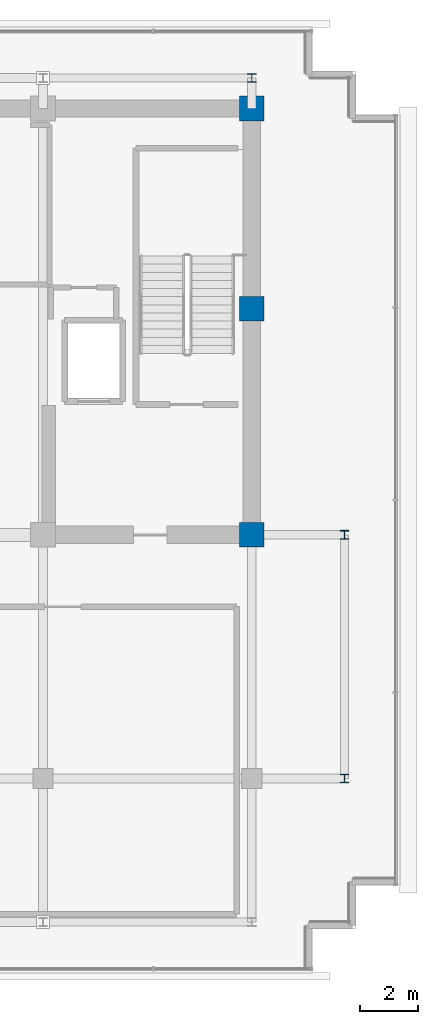
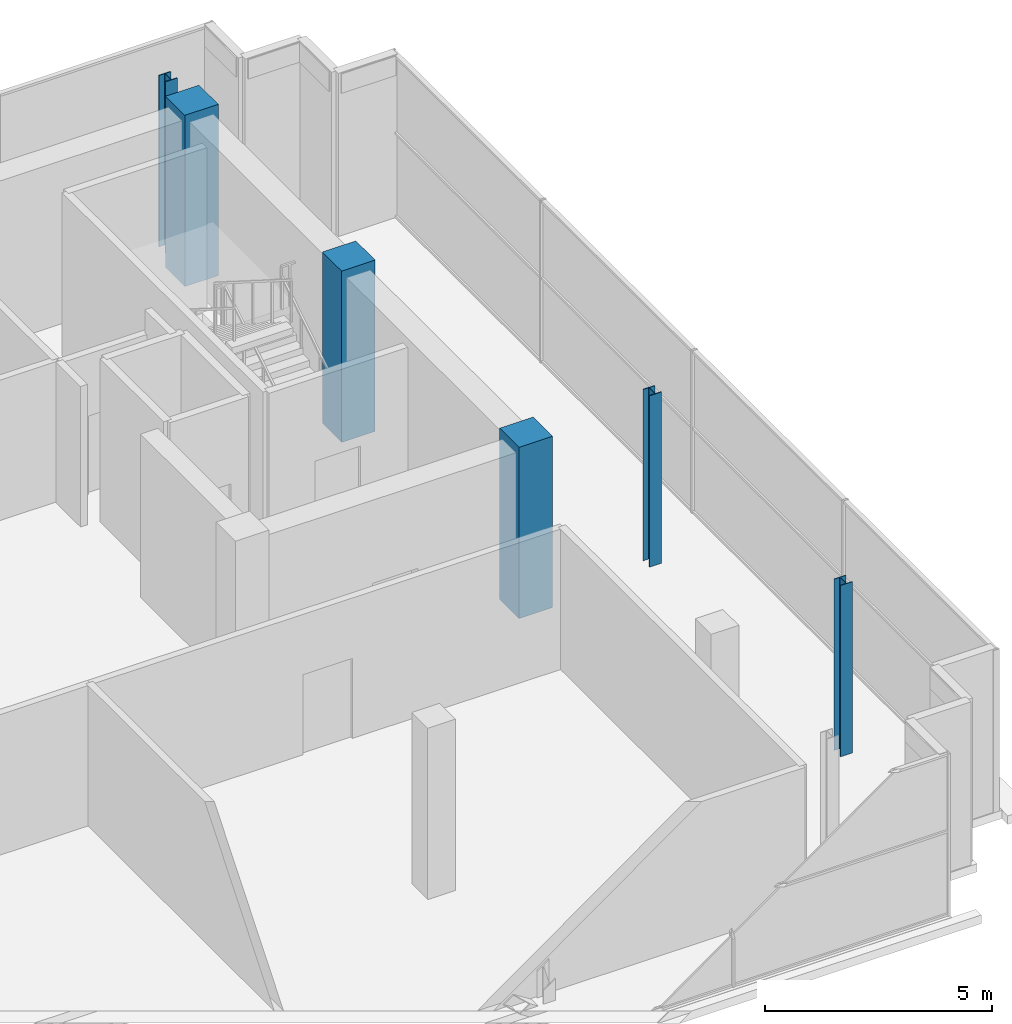
# One storey, part 2 of 26: 6 columns.
"""IFC4 building model written with IfcOpenShell, lengths in metres."""

import ifcopenshell
import ifcopenshell.guid

model = None  # the IFC model being written
_history = None  # IfcOwnerHistory: only IFC2X3 demands one
_inside = {}  # id of a spatial element -> (the spatial element, [elements in it])
_under = {}  # id of a project, library or spatial element -> (it, [spatial elements below it])
_declared = {}  # id of a project -> (the project, [libraries it declares])
_typed = {}  # id of a type object -> (the type object, [elements of that type])
_made_of = {}  # id of a material, layer set ... -> (it, [elements and type objects made of it])


def new_model(schema):
    """Start an empty IFC model of exactly this schema.

    Asked for "IFC4X3", IfcOpenShell would pick the latest addendum, in which some entities
    have other attributes; the version numbers below select the first issue.
    IFC2X3 requires an IfcOwnerHistory on every rooted entity: one is made here for all.
    """
    global model, _history
    if schema == "IFC4X3":
        model = ifcopenshell.file(schema_version=(4, 3, 0, 0))
    else:
        model = ifcopenshell.file(schema=schema)
    _inside.clear()
    _under.clear()
    _declared.clear()
    _typed.clear()
    _made_of.clear()
    _history = None
    if model.schema == "IFC2X3":
        org = make("IfcOrganization", Name="unknown")
        user = make(
            "IfcPersonAndOrganization",
            ThePerson=make("IfcPerson", FamilyName="unknown"),
            TheOrganization=org,
        )
        app = make(
            "IfcApplication",
            ApplicationDeveloper=org,
            Version="unknown",
            ApplicationFullName="unknown",
            ApplicationIdentifier="unknown",
        )
        _history = make(
            "IfcOwnerHistory",
            OwningUser=user,
            OwningApplication=app,
            ChangeAction="ADDED",
            CreationDate=0,
        )
    return model


def make(cls, **values):
    """One entity of the class cls with the attributes given. An attribute that is None is left unset."""
    return model.create_entity(
        cls, **{name: value for name, value in values.items() if value is not None}
    )


def rooted(cls, **values):
    """An entity with a GlobalId (a new one), such as an element, a storey or a relation."""
    return make(cls, GlobalId=ifcopenshell.guid.new(), OwnerHistory=_history, **values)


def si_unit(unit_type, name, prefix=None):
    """IfcSIUnit, for example si_unit("LENGTHUNIT", "METRE", prefix="MILLI")."""
    return make("IfcSIUnit", UnitType=unit_type, Prefix=prefix, Name=name)


def assignment(units):
    """IfcUnitAssignment: the units of a project."""
    return None if units is None else make("IfcUnitAssignment", Units=units)


def point(xyz):
    """IfcCartesianPoint."""
    return None if xyz is None else make("IfcCartesianPoint", Coordinates=xyz)


def direction(xyz):
    """IfcDirection."""
    return None if xyz is None else make("IfcDirection", DirectionRatios=xyz)


def frame(location, z_axis=None, x_axis=None):
    """IfcAxis2Placement3D, a coordinate frame: its origin and axes. An axis left out is left unset."""
    return make(
        "IfcAxis2Placement3D",
        Location=point(location),
        Axis=direction(z_axis),
        RefDirection=direction(x_axis),
    )


def frame_2d(location, x_axis=None):
    """IfcAxis2Placement2D, a coordinate frame in the plane: its origin and x axis."""
    return make(
        "IfcAxis2Placement2D", Location=point(location), RefDirection=direction(x_axis)
    )


def origin():
    """The frame at (0, 0, 0) with its axes left unset."""
    return frame((0.0, 0.0, 0.0))


def origin_2d():
    """The frame at (0, 0) in the plane with its x axis left unset."""
    return frame_2d((0.0, 0.0))


def place(relative_to, where):
    """IfcLocalPlacement: puts the frame where relative to a parent placement (None: the world)."""
    return make(
        "IfcLocalPlacement", PlacementRelTo=relative_to, RelativePlacement=where
    )


def context(
    kind, dimensions, precision=None, world=None, true_north=None, identifier=None
):
    """IfcGeometricRepresentationContext, for example the 3D "Model" context."""
    return make(
        "IfcGeometricRepresentationContext",
        ContextIdentifier=identifier,
        ContextType=kind,
        CoordinateSpaceDimension=dimensions,
        Precision=precision,
        WorldCoordinateSystem=world,
        TrueNorth=true_north,
    )


def subcontext(parent, identifier, kind, view, scale=None):
    """IfcGeometricRepresentationSubContext, for example "Body" below "Model"."""
    return make(
        "IfcGeometricRepresentationSubContext",
        ContextIdentifier=identifier,
        ContextType=kind,
        ParentContext=parent,
        TargetScale=scale,
        TargetView=view,
    )


def project(units=None, contexts=None):
    """IfcProject with its units and contexts."""
    return rooted(
        "IfcProject",
        Name="project",
        RepresentationContexts=contexts,
        UnitsInContext=assignment(units),
    )


def spatial(cls, under=None, at=None, **own):
    """A site, building, storey or space (cls), placed at a placement, below another one or the project."""
    s = rooted(cls, ObjectPlacement=at, **own)
    if under is not None:
        _under.setdefault(under.id(), (under, []))[1].append(s)
    return s


def profile(cls, at=None, kind="AREA", **sizes):
    """A parametric profile (cls). Its sizes go by their IFC names, for example OverallWidth=200.0."""
    return make(cls, ProfileType=kind, Position=at, **sizes)


def rectangle(**sizes):
    """IfcRectangleProfileDef."""
    return profile("IfcRectangleProfileDef", **sizes)


def i_section(**sizes):
    """IfcIShapeProfileDef."""
    return profile("IfcIShapeProfileDef", **sizes)


def extrude(swept, where, along, depth):
    """IfcExtrudedAreaSolid: the profile swept, set in the frame where, extruded along a direction by depth."""
    return make(
        "IfcExtrudedAreaSolid",
        SweptArea=swept,
        Position=where,
        ExtrudedDirection=direction(along),
        Depth=depth,
    )


def shape(context_of_items, identifier, shape_type, items):
    """IfcShapeRepresentation: the items that make up one representation, for example the "Body"."""
    return make(
        "IfcShapeRepresentation",
        ContextOfItems=context_of_items,
        RepresentationIdentifier=identifier,
        RepresentationType=shape_type,
        Items=items,
    )


def material(Name=None, Category=None):
    """IfcMaterial."""
    return make("IfcMaterial", Name=Name, Category=Category)


def material_profile(
    of_material, cross_section, Name=None, Category=None, Priority=None
):
    """IfcMaterialProfile: a cross section and its material."""
    return make(
        "IfcMaterialProfile",
        Name=Name,
        Material=of_material,
        Profile=cross_section,
        Priority=Priority,
        Category=Category,
    )


def profile_set(profiles, Name=None, composite=None):
    """IfcMaterialProfileSet."""
    return make(
        "IfcMaterialProfileSet",
        Name=Name,
        MaterialProfiles=profiles,
        CompositeProfile=composite,
    )


def made_of(thing, what):
    """Note that an element or type object is made of a material, layer set ...; save() writes the relation."""
    if what is not None:
        _made_of.setdefault(what.id(), (what, []))[1].append(thing)
    return thing


def type_object(cls, material=None, **own):
    """A type object (cls), such as IfcWallType, which elements share."""
    return made_of(rooted(cls, **own), material)


def element(
    cls,
    number,
    at=None,
    inside=None,
    cuts=None,
    type_object=None,
    material=None,
    context=None,
    identifier="Body",
    shape_type=None,
    held_by="IfcProductDefinitionShape",
    body=None,
    shapes=None,
    **own,
):
    """One element of the class cls, such as IfcWall. Its Tag is "e" and its number.

    at: its placement. inside: the storey or other place that contains it. cuts: it is an
    opening in that element (IfcRelVoidsElement). A single representation is given by context,
    identifier, shape_type and body (its items); several are given by shapes. held_by: the class
    of the entity that holds the representations. save() writes the other relations.
    """
    e = rooted(cls, Tag="e%d" % number, ObjectPlacement=at, **own)
    if body is not None:
        shapes = [shape(context, identifier, shape_type, body)]
    if shapes is not None:
        e.Representation = make(held_by, Representations=shapes)
    if inside is not None:
        _inside.setdefault(inside.id(), (inside, []))[1].append(e)
    if cuts is not None:
        rooted(
            "IfcRelVoidsElement", RelatingBuildingElement=cuts, RelatedOpeningElement=e
        )
    if type_object is not None:
        _typed.setdefault(type_object.id(), (type_object, []))[1].append(e)
    return made_of(e, material)


def aggregate(whole, parts):
    """IfcRelAggregates: a whole, such as a stair, and the parts it consists of."""
    return rooted("IfcRelAggregates", RelatingObject=whole, RelatedObjects=parts)


def save(model, path):
    """Write the relations noted so far, then the file.

    IfcRelAggregates (storeys below a building ...), IfcRelContainedInSpatialStructure (elements
    in a storey), IfcRelDefinesByType, IfcRelAssociatesMaterial and IfcRelDeclares: one each for
    every whole, place, type object, material and project.
    """
    for whole, parts in _under.values():
        aggregate(whole, parts)
    for where, things in _inside.values():
        rooted(
            "IfcRelContainedInSpatialStructure",
            RelatedElements=things,
            RelatingStructure=where,
        )
    for kind, things in _typed.values():
        rooted("IfcRelDefinesByType", RelatedObjects=things, RelatingType=kind)
    for what, things in _made_of.values():
        rooted("IfcRelAssociatesMaterial", RelatedObjects=things, RelatingMaterial=what)
    for by, libraries in _declared.values():
        rooted("IfcRelDeclares", RelatingContext=by, RelatedDefinitions=libraries)
    model.write(path)


model = new_model("IFC4")

# Units and contexts
model_context = context("Model", 3, precision=1e-05, world=origin(), true_north=direction((0.0, 1.0)))
body_context = subcontext(model_context, "Body", "Model", "MODEL_VIEW")
ifc_project = project(units=[si_unit("LENGTHUNIT", "METRE"), si_unit("AREAUNIT", "SQUARE_METRE"), si_unit("VOLUMEUNIT", "CUBIC_METRE"), si_unit("PLANEANGLEUNIT", "RADIAN"), si_unit("MASSUNIT", "GRAM", prefix="KILO")], contexts=[model_context])

# Site, building, storey
site_placement = place(None, origin())
site = spatial("IfcSite", under=ifc_project, at=site_placement, CompositionType="ELEMENT")
building_placement = place(site_placement, origin())
building = spatial("IfcBuilding", under=site, at=building_placement, Name="Zarnakvel Exchange Tower", CompositionType="ELEMENT")
storey_placement = place(building_placement, frame((0.0, 0.0, 280.800048828125)))
storey = spatial("IfcBuildingStorey", under=building, at=storey_placement, Name="Crown L79", CompositionType="ELEMENT", Elevation=280.800048828125)

# Columns
ifc_material_1 = material(Name="Concrete C50/60", Category="concrete")
ifc_material_profile_1 = material_profile(ifc_material_1, rectangle(XDim=0.85009765625, YDim=0.85009765625, at=origin_2d()))
ifc_profile_set_1 = profile_set([ifc_material_profile_1], Name="Concrete C50/60")
column_type_1 = type_object("IfcColumnType", Name="CC-03", PredefinedType="COLUMN", material=ifc_profile_set_1)
for number, where, z_axis, x_axis, name in (
    (1, (14.39990234375, -1.199951171875, 0.0), (0.0, 0.0, 1.0), (1.0, 0.0, 0.0), "Crown L79 Column C-9D (CC-03)"),
    (2, (14.39990234375, 6.60009765625, 0.0), (0.0, 0.0, 1.0), (1.0, 0.0, 0.0), "Crown L79 Column C-9E (CC-03)"),
    (3, (14.39990234375, 13.5, 0.0), (0.0, 0.0, 1.0), (1.0, 0.0, 0.0), "Crown L79 Column C-9F (CC-03)"),
):
    element("IfcColumn", number, at=place(storey_placement, frame(where, z_axis=z_axis, x_axis=x_axis)), inside=storey, type_object=column_type_1, Name=name, PredefinedType="COLUMN", context=body_context, shape_type="SweptSolid", body=[
        extrude(rectangle(XDim=0.85009765625, YDim=0.85009765625, at=origin_2d()), origin(), (0.0, 0.0, 1.0), 4.599853515625),
    ])
ifc_material_2 = material(Name="Steel S355", Category="steel")
ifc_material_profile_2 = material_profile(ifc_material_2, i_section(OverallWidth=0.300048828125, OverallDepth=0.300048828125, WebThickness=0.010986328125, FlangeThickness=0.01904296875, FilletRadius=0.027099609375, at=origin_2d()))
ifc_profile_set_2 = profile_set([ifc_material_profile_2], Name="Steel S355")
column_type_2 = type_object("IfcColumnType", Name="CF-01", PredefinedType="COLUMN", material=ifc_profile_set_2)
for number, where, z_axis, x_axis, name in (
    (4, (14.39990234375, 14.550048828125, 0.0), (0.0, 0.0, 1.0), (1.0, 0.0, 0.0), "Crown L79 Column CN-9 (CF-01)"),
    (5, (17.60009765625, -9.60009765625, 0.0), (0.0, 0.0, 1.0), (1.0, 0.0, 0.0), "Crown L79 Column CE-C (CF-01)"),
    (6, (17.60009765625, -1.199951171875, 0.0), (0.0, 0.0, 1.0), (1.0, 0.0, 0.0), "Crown L79 Column CE-D (CF-01)"),
):
    element("IfcColumn", number, at=place(storey_placement, frame(where, z_axis=z_axis, x_axis=x_axis)), inside=storey, type_object=column_type_2, Name=name, PredefinedType="COLUMN", context=body_context, shape_type="SweptSolid", body=[
        extrude(i_section(OverallWidth=0.300048828125, OverallDepth=0.300048828125, WebThickness=0.010986328125, FlangeThickness=0.01904296875, FilletRadius=0.027099609375, at=origin_2d()), origin(), (0.0, 0.0, 1.0), 4.599853515625),
    ])

save(model, "model.ifc")
